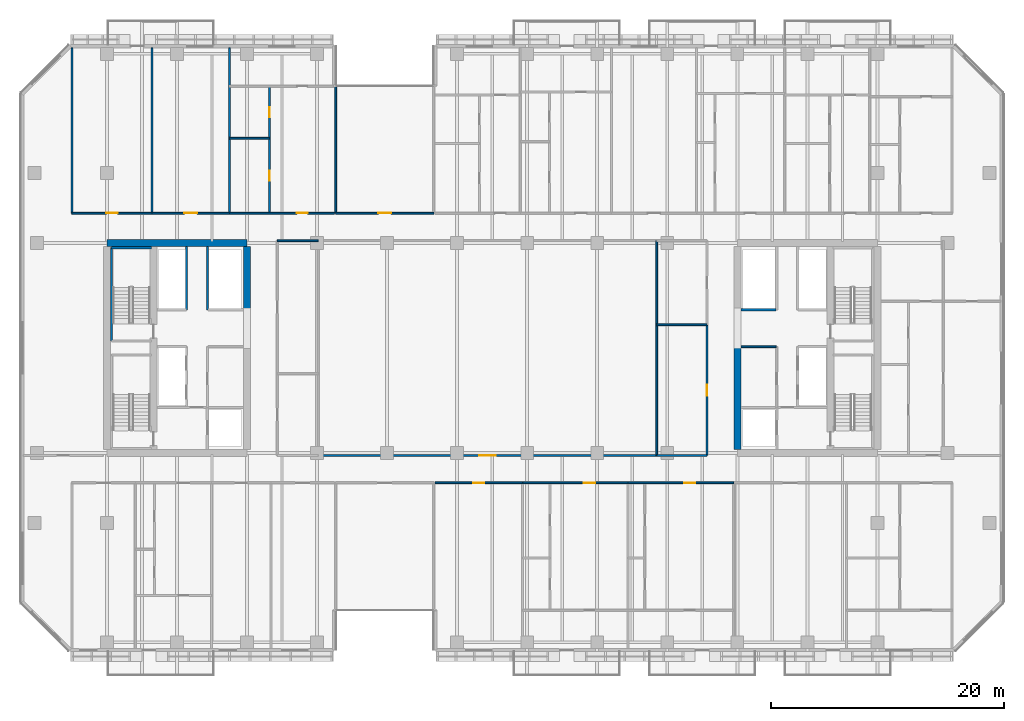
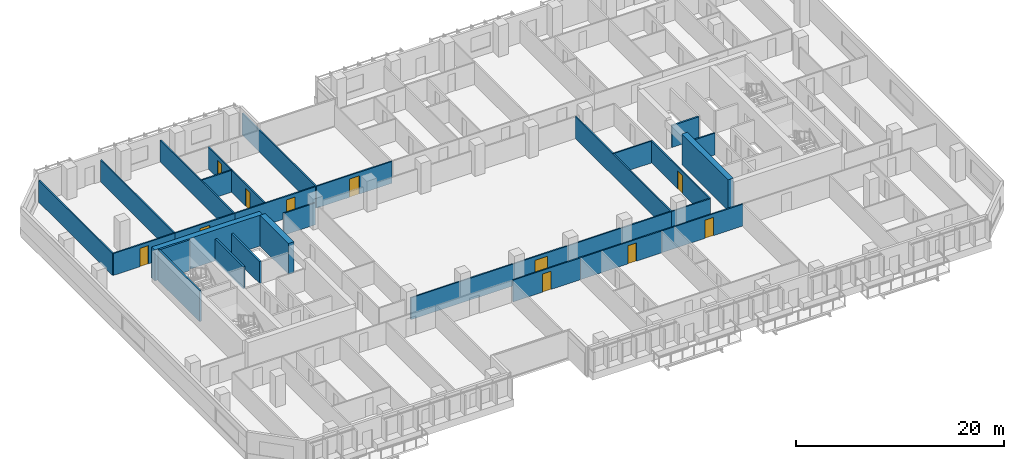
# One storey, part 12 of 25: 28 walls, 11 doors, 11 openings.
"""IFC4 building model written with IfcOpenShell, lengths in metres."""

from ifc_helpers import new_model, si_unit, direction, frame, frame_2d, origin, place, context, subcontext, project, spatial, rectangle, extrude, material, layer, layer_set, type_object, element, fill, save


model = new_model("IFC4")

# Units and contexts
model_context = context("Model", 3, precision=1e-05, world=origin(), true_north=direction((0.0, 1.0)))
body_context = subcontext(model_context, "Body", "Model", "MODEL_VIEW")
ifc_project = project(units=[si_unit("LENGTHUNIT", "METRE"), si_unit("AREAUNIT", "SQUARE_METRE"), si_unit("VOLUMEUNIT", "CUBIC_METRE"), si_unit("PLANEANGLEUNIT", "RADIAN"), si_unit("MASSUNIT", "GRAM", prefix="KILO")], contexts=[model_context])

# Site, building, storey
site_placement = place(None, origin())
site = spatial("IfcSite", under=ifc_project, at=site_placement, CompositionType="ELEMENT")
building_placement = place(site_placement, origin())
building = spatial("IfcBuilding", under=site, at=building_placement, Name="Tanjung Sevakor Pilgrim Tower", CompositionType="ELEMENT")
storey_placement = place(building_placement, frame((0.0, 0.0, 69.6298828125)))
storey = spatial("IfcBuildingStorey", under=building, at=storey_placement, Name="L19", CompositionType="ELEMENT", Elevation=69.6298828125)

# Walls
ifc_material_1 = material(Name="Concrete C60/75", Category="concrete")
ifc_layer_1 = layer(ifc_material_1, 0.60009765625)
ifc_layer_set_1 = layer_set([ifc_layer_1], Name="WALL-CW-600")
wall_type_1 = type_object("IfcWallType", Name="WALL-CW-600", PredefinedType="SHEAR", material=ifc_layer_set_1)
wall_1_placement = place(storey_placement, frame((36.0, 42.60009765625, 0.0), z_axis=(0.0, 0.0, 1.0), x_axis=(-1.0, 0.0, 0.0)))
element("IfcWall", 1, at=wall_1_placement, inside=storey, type_object=wall_type_1, Name="L19 W Core North Shear Wall", PredefinedType="SHEAR", context=body_context, shape_type="SweptSolid", body=[
    extrude(rectangle(XDim=12.0, YDim=0.60009765625, at=frame_2d((6.0, 0.0))), origin(), (0.0, 0.0, 1.0), 3.630126953125),
])
wall_2_placement = place(storey_placement, frame((36.0, 36.800048828125, 0.0), z_axis=(0.0, 0.0, 1.0), x_axis=(0.0, 1.0, 0.0)))
element("IfcWall", 2, at=wall_2_placement, inside=storey, type_object=wall_type_1, Name="L19 W Core Inner Shear Wall North", PredefinedType="SHEAR", context=body_context, shape_type="SweptSolid", body=[
    extrude(rectangle(XDim=5.5, YDim=0.60009765625, at=frame_2d((2.75, 0.0))), origin(), (0.0, 0.0, 1.0), 3.630126953125),
])
wall_3_placement = place(storey_placement, frame((78.0, 24.89990234375, 0.0), z_axis=(0.0, 0.0, 1.0), x_axis=(0.0, 1.0, 0.0)))
element("IfcWall", 3, at=wall_3_placement, inside=storey, type_object=wall_type_1, Name="L19 E Core Inner Shear Wall South", PredefinedType="SHEAR", context=body_context, shape_type="SweptSolid", body=[
    extrude(rectangle(XDim=8.900146484375, YDim=0.60009765625, at=frame_2d((4.4501953125, 0.0))), origin(), (0.0, 0.0, 1.0), 3.630126953125),
])
ifc_material_2 = material(Name="Concrete C40/50", Category="concrete")
ifc_layer_2 = layer(ifc_material_2, 0.14990234375)
ifc_layer_set_2 = layer_set([ifc_layer_2], Name="WT-COMP-150")
wall_type_2 = type_object("IfcWallType", Name="WT-COMP-150", PredefinedType="SOLIDWALL", material=ifc_layer_set_2)
wall_4_placement = place(storey_placement, frame((78.320068359375, 33.719970703125, 0.0), z_axis=(0.0, 0.0, 1.0), x_axis=(1.0, 0.0, 0.0)))
element("IfcWall", 4, at=wall_4_placement, inside=storey, type_object=wall_type_2, Name="L19 Partition IW-L19-015", PredefinedType="SOLIDWALL", context=body_context, shape_type="SweptSolid", body=[
    extrude(rectangle(XDim=3.0, YDim=0.14990234375, at=frame_2d((1.5, 0.0))), origin(), (0.0, 0.0, 1.0), 2.570068359375),
])
wall_5_placement = place(storey_placement, frame((38.60009765625, 42.800048828125, 0.0), z_axis=(0.0, 0.0, 1.0), x_axis=(1.0, 0.0, 0.0)))
element("IfcWall", 5, at=wall_5_placement, inside=storey, type_object=wall_type_2, Name="L19 Partition IW-L19-024", PredefinedType="SOLIDWALL", context=body_context, shape_type="SweptSolid", body=[
    extrude(rectangle(XDim=3.5, YDim=0.14990234375, at=frame_2d((1.75, 0.0))), origin(), (0.0, 0.0, 1.0), 2.565185546875),
])

# Wall, opening, door
wall_6_placement = place(storey_placement, frame((42.10009765625, 24.39990234375, 0.0), z_axis=(0.0, 0.0, 1.0), x_axis=(1.0, 0.0, 0.0)))
wall_6 = element("IfcWall", 6, at=wall_6_placement, inside=storey, type_object=wall_type_2, Name="L19 Partition IW-L19-026", PredefinedType="SOLIDWALL", context=body_context, shape_type="SweptSolid", body=[
    extrude(rectangle(XDim=29.0, YDim=0.14990234375, at=frame_2d((14.5, 0.0))), origin(), (0.0, 0.0, 1.0), 2.565185546875),
])
opening_1_placement = place(wall_6_placement, frame((13.800048828125, 0.0, 0.0)))
opening_1 = element("IfcOpeningElement", 7, at=opening_1_placement, cuts=wall_6, Name="Opening ID-HD1", PredefinedType="OPENING", context=body_context, shape_type="SweptSolid", body=[
    extrude(rectangle(XDim=1.39990234375, YDim=2.14990234375, at=frame_2d((0.699951171875, 1.074951171875))), frame((0.0, 0.0849609375, 0.0), z_axis=(0.0, -1.0, 0.0), x_axis=(1.0, 0.0, 0.0)), (0.0, 0.0, 1.0), 0.169921875),
])
ifc_material_3 = material(Name="Hardwood Timber", Category="wood")
door_type_1 = type_object("IfcDoorType", Name="DT-INT-1400", OperationType="DOUBLE_DOOR_SINGLE_SWING", PredefinedType="DOOR", material=ifc_material_3)
door_1_placement = place(opening_1_placement, origin())
door_1 = element("IfcDoor", 8, at=door_1_placement, inside=storey, type_object=door_type_1, Name="L19 Sky-Prayer Sanctuary Door", OperationType="SINGLE_SWING_RIGHT", OverallHeight=2.14990234375, OverallWidth=1.39990234375, PredefinedType="DOOR", context=body_context, shape_type="SweptSolid", body=[
    extrude(rectangle(XDim=1.39990234375, YDim=2.14990234375, at=frame_2d((0.699951171875, 1.074951171875))), frame((0.0, 0.02490234375, 0.0), z_axis=(0.0, -1.0, 0.0), x_axis=(1.0, 0.0, 0.0)), (0.0, 0.0, 1.0), 0.050048828125),
])
fill(opening_1, door_1)

# Walls
wall_7_placement = place(storey_placement, frame((71.10009765625, 24.39990234375, 0.0), z_axis=(0.0, 0.0, 1.0), x_axis=(0.0, 1.0, 0.0)))
element("IfcWall", 9, at=wall_7_placement, inside=storey, type_object=wall_type_2, Name="L19 Partition IW-L19-029", PredefinedType="SOLIDWALL", context=body_context, shape_type="SweptSolid", body=[
    extrude(rectangle(XDim=18.400146484375, YDim=0.14990234375, at=frame_2d((9.2001953125, 0.0))), origin(), (0.0, 0.0, 1.0), 2.570068359375),
])
wall_8_placement = place(storey_placement, frame((71.10009765625, 24.39990234375, 0.0), z_axis=(0.0, 0.0, 1.0), x_axis=(1.0, 0.0, 0.0)))
element("IfcWall", 10, at=wall_8_placement, inside=storey, type_object=wall_type_2, Name="L19 Partition IW-L19-030", PredefinedType="SOLIDWALL", context=body_context, shape_type="SweptSolid", body=[
    extrude(rectangle(XDim=4.2998046875, YDim=0.14990234375, at=frame_2d((2.14990234375, 0.0))), origin(), (0.0, 0.0, 1.0), 2.565185546875),
])
wall_9_placement = place(storey_placement, frame((71.10009765625, 35.60009765625, 0.0), z_axis=(0.0, 0.0, 1.0), x_axis=(1.0, 0.0, 0.0)))
element("IfcWall", 11, at=wall_9_placement, inside=storey, type_object=wall_type_2, Name="L19 Partition IW-L19-031", PredefinedType="SOLIDWALL", context=body_context, shape_type="SweptSolid", body=[
    extrude(rectangle(XDim=4.2998046875, YDim=0.14990234375, at=frame_2d((2.14990234375, 0.0))), origin(), (0.0, 0.0, 1.0), 2.570068359375),
])

# Wall, opening, door
wall_10_placement = place(storey_placement, frame((75.39990234375, 24.39990234375, 0.0), z_axis=(0.0, 0.0, 1.0), x_axis=(0.0, 1.0, 0.0)))
wall_10 = element("IfcWall", 12, at=wall_10_placement, inside=storey, type_object=wall_type_2, Name="L19 Partition IW-L19-032", PredefinedType="SOLIDWALL", context=body_context, shape_type="SweptSolid", body=[
    extrude(rectangle(XDim=11.2001953125, YDim=0.14990234375, at=frame_2d((5.60009765625, 0.0))), origin(), (0.0, 0.0, 1.0), 2.570068359375),
])
opening_2_placement = place(wall_10_placement, frame((5.125, 0.0, 0.0)))
opening_2 = element("IfcOpeningElement", 13, at=opening_2_placement, cuts=wall_10, Name="Opening ID-RM1", PredefinedType="OPENING", context=body_context, shape_type="SweptSolid", body=[
    extrude(rectangle(XDim=0.949951171875, YDim=2.14990234375, at=frame_2d((0.47509765625, 1.074951171875))), frame((0.0, 0.0849609375, 0.0), z_axis=(0.0, -1.0, 0.0), x_axis=(1.0, 0.0, 0.0)), (0.0, 0.0, 1.0), 0.169921875),
])
ifc_material_4 = material(Name="Hardwood Timber", Category="wood")
door_type_2 = type_object("IfcDoorType", Name="DT-INT-950", OperationType="NOTDEFINED", PredefinedType="DOOR", material=ifc_material_4)
door_2_placement = place(opening_2_placement, origin())
door_2 = element("IfcDoor", 14, at=door_2_placement, inside=storey, type_object=door_type_2, Name="L19 Female Ablution Door", OperationType="SINGLE_SWING_LEFT", OverallHeight=2.14990234375, OverallWidth=0.949951171875, PredefinedType="DOOR", context=body_context, shape_type="SweptSolid", body=[
    extrude(rectangle(XDim=0.949951171875, YDim=2.14990234375, at=frame_2d((0.47509765625, 1.074951171875))), frame((0.0, 0.02490234375, 0.0), z_axis=(0.0, -1.0, 0.0), x_axis=(1.0, 0.0, 0.0)), (0.0, 0.0, 1.0), 0.050048828125),
])
fill(opening_2, door_2)

wall_11_placement = place(storey_placement, frame((43.60009765625, 45.14990234375, 0.0), z_axis=(0.0, 0.0, 1.0), x_axis=(1.0, 0.0, 0.0)))
wall_11 = element("IfcWall", 15, at=wall_11_placement, inside=storey, type_object=wall_type_2, Name="L19 Partition IW-L19-045", PredefinedType="SOLIDWALL", context=body_context, shape_type="SweptSolid", body=[
    extrude(rectangle(XDim=8.39990234375, YDim=0.14990234375, at=frame_2d((4.199951171875, 0.0))), origin(), (0.0, 0.0, 1.0), 2.570068359375),
])
opening_3_placement = place(wall_11_placement, frame((3.64990234375, 0.0, 0.0)))
opening_3 = element("IfcOpeningElement", 16, at=opening_3_placement, cuts=wall_11, Name="Opening ID-RM2", PredefinedType="OPENING", context=body_context, shape_type="SweptSolid", body=[
    extrude(rectangle(XDim=1.10009765625, YDim=2.14990234375, at=frame_2d((0.550048828125, 1.074951171875))), frame((0.0, 0.0849609375, 0.0), z_axis=(0.0, -1.0, 0.0), x_axis=(1.0, 0.0, 0.0)), (0.0, 0.0, 1.0), 0.169921875),
])
ifc_material_5 = material(Name="Hardwood Timber", Category="wood")
door_type_3 = type_object("IfcDoorType", Name="DT-INT-1100", OperationType="NOTDEFINED", PredefinedType="DOOR", material=ifc_material_5)
door_3_placement = place(opening_3_placement, origin())
door_3 = element("IfcDoor", 17, at=door_3_placement, inside=storey, type_object=door_type_3, Name="L19 North Cleft Seminar Room Door", OperationType="SINGLE_SWING_LEFT", OverallHeight=2.14990234375, OverallWidth=1.10009765625, PredefinedType="DOOR", context=body_context, shape_type="SweptSolid", body=[
    extrude(rectangle(XDim=1.10009765625, YDim=2.14990234375, at=frame_2d((0.550048828125, 1.074951171875))), frame((0.0, 0.02490234375, 0.0), z_axis=(0.0, -1.0, 0.0), x_axis=(1.0, 0.0, 0.0)), (0.0, 0.0, 1.0), 0.050048828125),
])
fill(opening_3, door_3)

# Wall
wall_12_placement = place(storey_placement, frame((43.60009765625, 45.14990234375, 0.0), z_axis=(0.0, 0.0, 1.0), x_axis=(0.0, 1.0, 0.0)))
element("IfcWall", 18, at=wall_12_placement, inside=storey, type_object=wall_type_2, Name="L19 Partition IW-L19-046", PredefinedType="SOLIDWALL", context=body_context, shape_type="SweptSolid", body=[
    extrude(rectangle(XDim=14.170166015625, YDim=0.14990234375, at=frame_2d((7.0849609375, 0.0))), origin(), (0.0, 0.0, 1.0), 2.570068359375),
])

# Wall, opening, door
wall_13_placement = place(storey_placement, frame((52.1201171875, 22.050048828125, 0.0), z_axis=(0.0, 0.0, 1.0), x_axis=(1.0, 0.0, 0.0)))
wall_13 = element("IfcWall", 19, at=wall_13_placement, inside=storey, type_object=wall_type_2, Name="L19 Partition IW-L19-061", PredefinedType="SOLIDWALL", context=body_context, shape_type="SweptSolid", body=[
    extrude(rectangle(XDim=7.48388671875, YDim=0.14990234375, at=frame_2d((3.741943359375, 0.0))), origin(), (0.0, 0.0, 1.0), 2.570068359375),
])
opening_4_placement = place(wall_13_placement, frame((3.26708984375, 0.0, 0.0)))
opening_4 = element("IfcOpeningElement", 20, at=opening_4_placement, cuts=wall_13, Name="Opening ID-FD2", PredefinedType="OPENING", context=body_context, shape_type="SweptSolid", body=[
    extrude(rectangle(XDim=0.949951171875, YDim=2.14990234375, at=frame_2d((0.47509765625, 1.074951171875))), frame((0.0, 0.0849609375, 0.0), z_axis=(0.0, -1.0, 0.0), x_axis=(1.0, 0.0, 0.0)), (0.0, 0.0, 1.0), 0.169921875),
])
ifc_material_6 = material(Name="Fire-Rated Timber", Category="wood")
door_type_4 = type_object("IfcDoorType", Name="DT-FIRE-950", OperationType="NOTDEFINED", PredefinedType="DOOR", material=ifc_material_6)
door_4_placement = place(opening_4_placement, origin())
door_4 = element("IfcDoor", 21, at=door_4_placement, inside=storey, type_object=door_type_4, Name="Housekeeping Pantry Door", OperationType="SINGLE_SWING_LEFT", OverallHeight=2.14990234375, OverallWidth=0.949951171875, PredefinedType="DOOR", context=body_context, shape_type="SweptSolid", body=[
    extrude(rectangle(XDim=0.949951171875, YDim=2.14990234375, at=frame_2d((0.47509765625, 1.074951171875))), frame((0.0, 0.02490234375, 0.0), z_axis=(0.0, -1.0, 0.0), x_axis=(1.0, 0.0, 0.0)), (0.0, 0.0, 1.0), 0.050048828125),
])
fill(opening_4, door_4)

wall_14_placement = place(storey_placement, frame((59.60400390625, 22.050048828125, 0.0), z_axis=(0.0, 0.0, 1.0), x_axis=(1.0, 0.0, 0.0)))
wall_14 = element("IfcWall", 22, at=wall_14_placement, inside=storey, type_object=wall_type_2, Name="L19 Partition IW-L19-066", PredefinedType="SOLIDWALL", context=body_context, shape_type="SweptSolid", body=[
    extrude(rectangle(XDim=9.04296875, YDim=0.14990234375, at=frame_2d((4.521484375, 0.0))), origin(), (0.0, 0.0, 1.0), 2.570068359375),
])
opening_5_placement = place(wall_14_placement, frame((5.26171875, 0.0, 0.0)))
opening_5 = element("IfcOpeningElement", 23, at=opening_5_placement, cuts=wall_14, Name="Opening ID-FD2", PredefinedType="OPENING", context=body_context, shape_type="SweptSolid", body=[
    extrude(rectangle(XDim=0.949951171875, YDim=2.14990234375, at=frame_2d((0.47509765625, 1.074951171875))), frame((0.0, 0.0849609375, 0.0), z_axis=(0.0, -1.0, 0.0), x_axis=(1.0, 0.0, 0.0)), (0.0, 0.0, 1.0), 0.169921875),
])
door_5_placement = place(opening_5_placement, origin())
door_5 = element("IfcDoor", 24, at=door_5_placement, inside=storey, type_object=door_type_4, Name="Residence Entrance", OperationType="SINGLE_SWING_LEFT", OverallHeight=2.14990234375, OverallWidth=0.949951171875, PredefinedType="DOOR", context=body_context, shape_type="SweptSolid", body=[
    extrude(rectangle(XDim=0.949951171875, YDim=2.14990234375, at=frame_2d((0.47509765625, 1.074951171875))), frame((0.0, 0.02490234375, 0.0), z_axis=(0.0, -1.0, 0.0), x_axis=(1.0, 0.0, 0.0)), (0.0, 0.0, 1.0), 0.050048828125),
])
fill(opening_5, door_5)

wall_15_placement = place(storey_placement, frame((68.64697265625, 22.050048828125, 0.0), z_axis=(0.0, 0.0, 1.0), x_axis=(1.0, 0.0, 0.0)))
wall_15 = element("IfcWall", 25, at=wall_15_placement, inside=storey, type_object=wall_type_2, Name="L19 Partition IW-L19-071", PredefinedType="SOLIDWALL", context=body_context, shape_type="SweptSolid", body=[
    extrude(rectangle(XDim=9.043212890625, YDim=0.14990234375, at=frame_2d((4.521484375, 0.0))), origin(), (0.0, 0.0, 1.0), 2.570068359375),
])
opening_6_placement = place(wall_15_placement, frame((4.802978515625, 0.0, 0.0)))
opening_6 = element("IfcOpeningElement", 26, at=opening_6_placement, cuts=wall_15, Name="Opening ID-FD2", PredefinedType="OPENING", context=body_context, shape_type="SweptSolid", body=[
    extrude(rectangle(XDim=0.949951171875, YDim=2.14990234375, at=frame_2d((0.47509765625, 1.074951171875))), frame((0.0, 0.0849609375, 0.0), z_axis=(0.0, -1.0, 0.0), x_axis=(1.0, 0.0, 0.0)), (0.0, 0.0, 1.0), 0.169921875),
])
door_6_placement = place(opening_6_placement, origin())
door_6 = element("IfcDoor", 27, at=door_6_placement, inside=storey, type_object=door_type_4, Name="Residence Entrance", OperationType="SINGLE_SWING_LEFT", OverallHeight=2.14990234375, OverallWidth=0.949951171875, PredefinedType="DOOR", context=body_context, shape_type="SweptSolid", body=[
    extrude(rectangle(XDim=0.949951171875, YDim=2.14990234375, at=frame_2d((0.47509765625, 1.074951171875))), frame((0.0, 0.02490234375, 0.0), z_axis=(0.0, -1.0, 0.0), x_axis=(1.0, 0.0, 0.0)), (0.0, 0.0, 1.0), 0.050048828125),
])
fill(opening_6, door_6)

# Walls
for number, where, z_axis, x_axis, name in (
    (28, (21.0, 45.14990234375, 0.0), (0.0, 0.0, 1.0), (0.0, 1.0, 0.0), "L19 Partition IW-L19-078"),
    (29, (27.864013671875, 45.14990234375, 0.0), (0.0, 0.0, 1.0), (0.0, 1.0, 0.0), "L19 Partition IW-L19-079"),
):
    element("IfcWall", number, at=place(storey_placement, frame(where, z_axis=z_axis, x_axis=x_axis)), inside=storey, type_object=wall_type_2, Name=name, PredefinedType="SOLIDWALL", context=body_context, shape_type="SweptSolid", body=[
        extrude(rectangle(XDim=14.170166015625, YDim=0.14990234375, at=frame_2d((7.0849609375, 0.0))), origin(), (0.0, 0.0, 1.0), 2.570068359375),
    ])

# Wall, opening, door
wall_16_placement = place(storey_placement, frame((21.0, 45.14990234375, 0.0), z_axis=(0.0, 0.0, 1.0), x_axis=(1.0, 0.0, 0.0)))
wall_16 = element("IfcWall", 30, at=wall_16_placement, inside=storey, type_object=wall_type_2, Name="L19 Partition IW-L19-080", PredefinedType="SOLIDWALL", context=body_context, shape_type="SweptSolid", body=[
    extrude(rectangle(XDim=6.864013671875, YDim=0.14990234375, at=frame_2d((3.43212890625, 0.0))), origin(), (0.0, 0.0, 1.0), 2.570068359375),
])
opening_7_placement = place(wall_16_placement, frame((2.95703125, 0.0, 0.0)))
opening_7 = element("IfcOpeningElement", 31, at=opening_7_placement, cuts=wall_16, Name="Opening ID-FD2", PredefinedType="OPENING", context=body_context, shape_type="SweptSolid", body=[
    extrude(rectangle(XDim=0.949951171875, YDim=2.14990234375, at=frame_2d((0.47509765625, 1.074951171875))), frame((0.0, 0.0849609375, 0.0), z_axis=(0.0, -1.0, 0.0), x_axis=(1.0, 0.0, 0.0)), (0.0, 0.0, 1.0), 0.169921875),
])
door_7_placement = place(opening_7_placement, origin())
door_7 = element("IfcDoor", 32, at=door_7_placement, inside=storey, type_object=door_type_4, Name="Study Room Entrance", OperationType="SINGLE_SWING_LEFT", OverallHeight=2.14990234375, OverallWidth=0.949951171875, PredefinedType="DOOR", context=body_context, shape_type="SweptSolid", body=[
    extrude(rectangle(XDim=0.949951171875, YDim=2.14990234375, at=frame_2d((0.47509765625, 1.074951171875))), frame((0.0, 0.02490234375, 0.0), z_axis=(0.0, -1.0, 0.0), x_axis=(1.0, 0.0, 0.0)), (0.0, 0.0, 1.0), 0.050048828125),
])
fill(opening_7, door_7)

# Wall
wall_17_placement = place(storey_placement, frame((34.49951171875, 45.14990234375, 0.0), z_axis=(0.0, 0.0, 1.0), x_axis=(0.0, 1.0, 0.0)))
element("IfcWall", 33, at=wall_17_placement, inside=storey, type_object=wall_type_2, Name="L19 Partition IW-L19-081", PredefinedType="SOLIDWALL", context=body_context, shape_type="SweptSolid", body=[
    extrude(rectangle(XDim=14.170166015625, YDim=0.14990234375, at=frame_2d((7.0849609375, 0.0))), origin(), (0.0, 0.0, 1.0), 2.570068359375),
])

# Wall, opening, door
wall_18_placement = place(storey_placement, frame((27.864013671875, 45.14990234375, 0.0), z_axis=(0.0, 0.0, 1.0), x_axis=(1.0, 0.0, 0.0)))
wall_18 = element("IfcWall", 34, at=wall_18_placement, inside=storey, type_object=wall_type_2, Name="L19 Partition IW-L19-082", PredefinedType="SOLIDWALL", context=body_context, shape_type="SweptSolid", body=[
    extrude(rectangle(XDim=6.635498046875, YDim=0.14990234375, at=frame_2d((3.31787109375, 0.0))), origin(), (0.0, 0.0, 1.0), 2.570068359375),
])
opening_8_placement = place(wall_18_placement, frame((2.767578125, 0.0, 0.0)))
opening_8 = element("IfcOpeningElement", 35, at=opening_8_placement, cuts=wall_18, Name="Opening ID-FD0", PredefinedType="OPENING", context=body_context, shape_type="SweptSolid", body=[
    extrude(rectangle(XDim=1.10009765625, YDim=2.14990234375, at=frame_2d((0.550048828125, 1.074951171875))), frame((0.0, 0.0849609375, 0.0), z_axis=(0.0, -1.0, 0.0), x_axis=(1.0, 0.0, 0.0)), (0.0, 0.0, 1.0), 0.169921875),
])
ifc_material_7 = material(Name="Fire-Rated Steel S355J2", Category="steel")
door_type_5 = type_object("IfcDoorType", Name="DT-FIRE-1100", OperationType="NOTDEFINED", PredefinedType="DOOR", material=ifc_material_7)
door_8_placement = place(opening_8_placement, origin())
door_8 = element("IfcDoor", 36, at=door_8_placement, inside=storey, type_object=door_type_5, Name="Seminar Room Door", OperationType="SINGLE_SWING_RIGHT", OverallHeight=2.14990234375, OverallWidth=1.10009765625, PredefinedType="DOOR", context=body_context, shape_type="SweptSolid", body=[
    extrude(rectangle(XDim=1.10009765625, YDim=2.14990234375, at=frame_2d((0.550048828125, 1.074951171875))), frame((0.0, 0.02490234375, 0.0), z_axis=(0.0, -1.0, 0.0), x_axis=(1.0, 0.0, 0.0)), (0.0, 0.0, 1.0), 0.050048828125),
])
fill(opening_8, door_8)

wall_19_placement = place(storey_placement, frame((34.49951171875, 45.14990234375, 0.0), z_axis=(0.0, 0.0, 1.0), x_axis=(1.0, 0.0, 0.0)))
wall_19 = element("IfcWall", 37, at=wall_19_placement, inside=storey, type_object=wall_type_2, Name="L19 Partition IW-L19-086", PredefinedType="SOLIDWALL", context=body_context, shape_type="SweptSolid", body=[
    extrude(rectangle(XDim=8.98046875, YDim=0.14990234375, at=frame_2d((4.490234375, 0.0))), origin(), (0.0, 0.0, 1.0), 2.570068359375),
])
opening_9_placement = place(wall_19_placement, frame((5.765625, 0.0, 0.0)))
opening_9 = element("IfcOpeningElement", 38, at=opening_9_placement, cuts=wall_19, Name="Opening ID-FD2", PredefinedType="OPENING", context=body_context, shape_type="SweptSolid", body=[
    extrude(rectangle(XDim=0.949951171875, YDim=2.14990234375, at=frame_2d((0.47509765625, 1.074951171875))), frame((0.0, 0.0849609375, 0.0), z_axis=(0.0, -1.0, 0.0), x_axis=(1.0, 0.0, 0.0)), (0.0, 0.0, 1.0), 0.169921875),
])
door_9_placement = place(opening_9_placement, origin())
door_9 = element("IfcDoor", 39, at=door_9_placement, inside=storey, type_object=door_type_4, Name="Residence Entrance", OperationType="SINGLE_SWING_RIGHT", OverallHeight=2.14990234375, OverallWidth=0.949951171875, PredefinedType="DOOR", context=body_context, shape_type="SweptSolid", body=[
    extrude(rectangle(XDim=0.949951171875, YDim=2.14990234375, at=frame_2d((0.47509765625, 1.074951171875))), frame((0.0, 0.02490234375, 0.0), z_axis=(0.0, -1.0, 0.0), x_axis=(1.0, 0.0, 0.0)), (0.0, 0.0, 1.0), 0.050048828125),
])
fill(opening_9, door_9)

# Walls
ifc_material_8 = material(Name="Concrete C40/50", Category="concrete")
ifc_layer_3 = layer(ifc_material_8, 0.199951171875)
ifc_layer_set_3 = layer_set([ifc_layer_3], Name="WT-FIRE-200")
wall_type_3 = type_object("IfcWallType", Name="WT-FIRE-200", PredefinedType="SOLIDWALL", material=ifc_layer_set_3)
wall_20_placement = place(storey_placement, frame((27.800048828125, 42.199951171875, 0.0), z_axis=(0.0, 0.0, 1.0), x_axis=(-1.0, 0.0, 0.0)))
element("IfcWall", 40, at=wall_20_placement, inside=storey, type_object=wall_type_3, Name="L19 TS-W2 Shaft Wall 2", PredefinedType="SOLIDWALL", context=body_context, shape_type="SweptSolid", body=[
    extrude(rectangle(XDim=3.400146484375, YDim=0.199951171875, at=frame_2d((1.7001953125, 0.0))), origin(), (0.0, 0.0, 1.0), 3.630126953125),
])
wall_21_placement = place(storey_placement, frame((24.39990234375, 42.199951171875, 0.0), z_axis=(0.0, 0.0, 1.0), x_axis=(0.0, -1.0, 0.0)))
element("IfcWall", 41, at=wall_21_placement, inside=storey, type_object=wall_type_3, Name="L19 TS-W2 Shaft Wall 3", PredefinedType="SOLIDWALL", context=body_context, shape_type="SweptSolid", body=[
    extrude(rectangle(XDim=8.0, YDim=0.199951171875, at=frame_2d((4.0, 0.0))), origin(), (0.0, 0.0, 1.0), 3.630126953125),
])
ifc_material_9 = material(Name="Concrete C40/50", Category="concrete")
ifc_layer_4 = layer(ifc_material_9, 0.199951171875)
ifc_layer_set_4 = layer_set([ifc_layer_4], Name="WT-FPRT-200")
wall_type_4 = type_object("IfcWallType", Name="WT-FPRT-200", PredefinedType="SOLIDWALL", material=ifc_layer_set_4)
for number, where, z_axis, x_axis, name in (
    (42, (30.820068359375, 36.8798828125, 0.0), (0.0, 0.0, 1.0), (0.0, 1.0, 0.0), "L19 Partition IW-L19-008"),
    (43, (32.6201171875, 36.8798828125, 0.0), (0.0, 0.0, 1.0), (0.0, 1.0, 0.0), "L19 Partition IW-L19-010"),
):
    element("IfcWall", number, at=place(storey_placement, frame(where, z_axis=z_axis, x_axis=x_axis)), inside=storey, type_object=wall_type_4, Name=name, PredefinedType="SOLIDWALL", context=body_context, shape_type="SweptSolid", body=[
        extrude(rectangle(XDim=5.420166015625, YDim=0.199951171875, at=frame_2d((2.7099609375, 0.0))), origin(), (0.0, 0.0, 1.0), 2.570068359375),
    ])
wall_22_placement = place(storey_placement, frame((78.320068359375, 36.8798828125, 0.0), z_axis=(0.0, 0.0, 1.0), x_axis=(1.0, 0.0, 0.0)))
element("IfcWall", 44, at=wall_22_placement, inside=storey, type_object=wall_type_4, Name="L19 Partition IW-L19-019", PredefinedType="SOLIDWALL", context=body_context, shape_type="SweptSolid", body=[
    extrude(rectangle(XDim=3.0, YDim=0.199951171875, at=frame_2d((1.5, 0.0))), origin(), (0.0, 0.0, 1.0), 2.570068359375),
])
ifc_material_10 = material(Name="Gypsum Board Partition", Category="gypsum board")
ifc_layer_5 = layer(ifc_material_10, 0.14990234375)
ifc_layer_set_5 = layer_set([ifc_layer_5], Name="WT-PART-150")
wall_type_5 = type_object("IfcWallType", Name="WT-PART-150", PredefinedType="PARTITIONING", material=ifc_layer_set_5)
wall_23_placement = place(storey_placement, frame((34.49951171875, 51.572265625, 0.0), z_axis=(0.0, 0.0, 1.0), x_axis=(1.0, 0.0, 0.0)))
element("IfcWall", 45, at=wall_23_placement, inside=storey, type_object=wall_type_5, Name="L19 Partition IW-L19-083", PredefinedType="PARTITIONING", context=body_context, shape_type="SweptSolid", body=[
    extrude(rectangle(XDim=3.42041015625, YDim=0.14990234375, at=frame_2d((1.710205078125, 0.0))), origin(), (0.0, 0.0, 1.0), 2.570068359375),
])

# Wall, openings, doors
wall_24_placement = place(storey_placement, frame((37.919921875, 45.14990234375, 0.0), z_axis=(0.0, 0.0, 1.0), x_axis=(0.0, 1.0, 0.0)))
wall_24 = element("IfcWall", 46, at=wall_24_placement, inside=storey, type_object=wall_type_5, Name="L19 Partition IW-L19-084", PredefinedType="PARTITIONING", context=body_context, shape_type="SweptSolid", body=[
    extrude(rectangle(XDim=10.88525390625, YDim=0.14990234375, at=frame_2d((5.442626953125, 0.0))), origin(), (0.0, 0.0, 1.0), 2.570068359375),
])
opening_10_placement = place(wall_24_placement, frame((2.7861328125, 0.0, 0.0)))
opening_10 = element("IfcOpeningElement", 47, at=opening_10_placement, cuts=wall_24, Name="Opening ID-WC1", PredefinedType="OPENING", context=body_context, shape_type="SweptSolid", body=[
    extrude(rectangle(XDim=0.85009765625, YDim=2.10009765625, at=frame_2d((0.425048828125, 1.050048828125))), frame((0.0, 0.0849609375, 0.0), z_axis=(0.0, -1.0, 0.0), x_axis=(1.0, 0.0, 0.0)), (0.0, 0.0, 1.0), 0.169921875),
])
opening_11_placement = place(wall_24_placement, frame((8.228759765625, 0.0, 0.0)))
opening_11 = element("IfcOpeningElement", 48, at=opening_11_placement, cuts=wall_24, Name="Opening ID-WC1", PredefinedType="OPENING", context=body_context, shape_type="SweptSolid", body=[
    extrude(rectangle(XDim=0.85009765625, YDim=2.10009765625, at=frame_2d((0.425048828125, 1.050048828125))), frame((0.0, 0.0849609375, 0.0), z_axis=(0.0, -1.0, 0.0), x_axis=(1.0, 0.0, 0.0)), (0.0, 0.0, 1.0), 0.169921875),
])
ifc_material_11 = material(Name="Moisture-Resistant Timber", Category="wood")
door_type_6 = type_object("IfcDoorType", Name="DT-INT-850", OperationType="NOTDEFINED", PredefinedType="DOOR", material=ifc_material_11)
door_10_placement = place(opening_10_placement, origin())
door_10 = element("IfcDoor", 49, at=door_10_placement, inside=storey, type_object=door_type_6, Name="Residence Kitchenette Door", OperationType="SINGLE_SWING_LEFT", OverallHeight=2.10009765625, OverallWidth=0.85009765625, PredefinedType="DOOR", context=body_context, shape_type="SweptSolid", body=[
    extrude(rectangle(XDim=0.85009765625, YDim=2.10009765625, at=frame_2d((0.425048828125, 1.050048828125))), frame((0.0, 0.02490234375, 0.0), z_axis=(0.0, -1.0, 0.0), x_axis=(1.0, 0.0, 0.0)), (0.0, 0.0, 1.0), 0.050048828125),
])
fill(opening_10, door_10)
door_11_placement = place(opening_11_placement, origin())
door_11 = element("IfcDoor", 50, at=door_11_placement, inside=storey, type_object=door_type_6, Name="Residence Bathroom Door", OperationType="SINGLE_SWING_RIGHT", OverallHeight=2.10009765625, OverallWidth=0.85009765625, PredefinedType="DOOR", context=body_context, shape_type="SweptSolid", body=[
    extrude(rectangle(XDim=0.85009765625, YDim=2.10009765625, at=frame_2d((0.425048828125, 1.050048828125))), frame((0.0, 0.02490234375, 0.0), z_axis=(0.0, -1.0, 0.0), x_axis=(1.0, 0.0, 0.0)), (0.0, 0.0, 1.0), 0.050048828125),
])
fill(opening_11, door_11)

save(model, "model.ifc")
